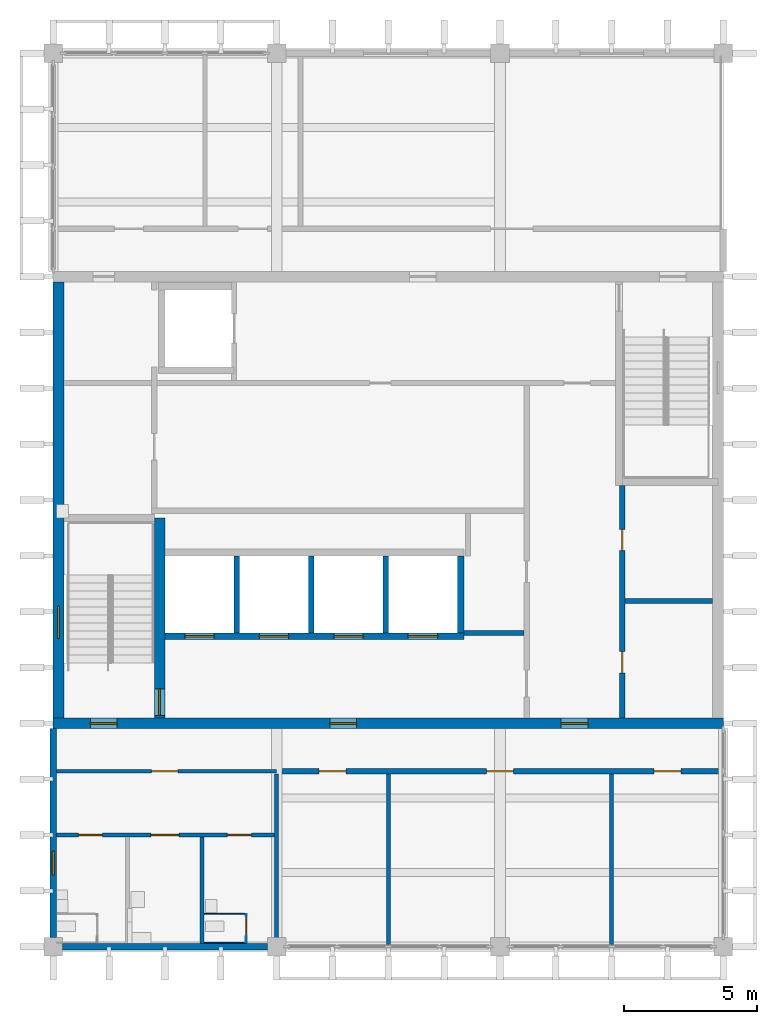
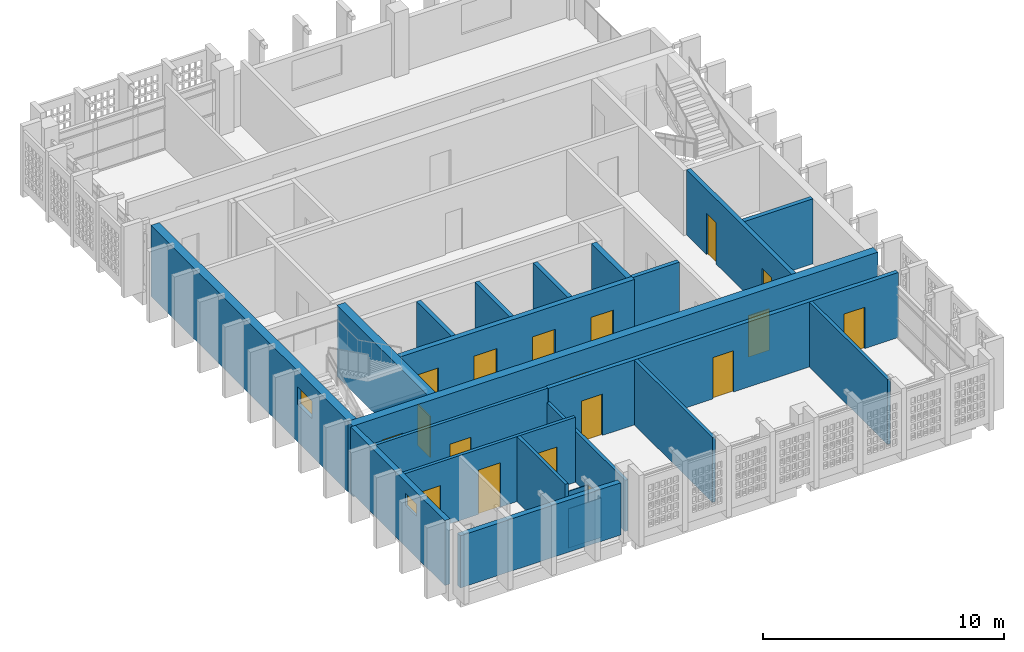
# One storey, part 4 of 13: 23 walls, 18 doors, 2 windows, 20 openings.
"""IFC4 building model written with IfcOpenShell, lengths in metres."""

from ifc_helpers import new_model, si_unit, direction, frame, frame_2d, origin, place, context, subcontext, project, spatial, rectangle, extrude, material, layer, layer_set, type_object, element, fill, save


model = new_model("IFC4")

# Units and contexts
model_context = context("Model", 3, precision=1e-05, world=origin(), true_north=direction((0.0, 1.0)))
body_context = subcontext(model_context, "Body", "Model", "MODEL_VIEW")
ifc_project = project(units=[si_unit("LENGTHUNIT", "METRE"), si_unit("AREAUNIT", "SQUARE_METRE"), si_unit("VOLUMEUNIT", "CUBIC_METRE"), si_unit("PLANEANGLEUNIT", "RADIAN"), si_unit("MASSUNIT", "GRAM", prefix="KILO")], contexts=[model_context])

# Site, building, storey
site_placement = place(None, origin())
site = spatial("IfcSite", under=ifc_project, at=site_placement, CompositionType="ELEMENT")
building_placement = place(site_placement, origin())
building = spatial("IfcBuilding", under=site, at=building_placement, Name="Rulbaag Community and Learning Centre", CompositionType="ELEMENT")
storey_placement = place(building_placement, frame((0.0, 0.0, 54.0)))
storey = spatial("IfcBuildingStorey", under=building, at=storey_placement, Name="L14", CompositionType="ELEMENT", Elevation=54.0)

# Walls
ifc_material_1 = material(Name="High pressure laminate", Category="wood")
ifc_layer_1 = layer(ifc_material_1, 0.0400390625)
ifc_layer_set_1 = layer_set([ifc_layer_1], Name="CP-40")
wall_type_1 = type_object("IfcWallType", Name="CP-40", PredefinedType="PARTITIONING", material=ifc_layer_set_1)
for number, where, z_axis, x_axis, name in (
    (1, (148.47509765625, 84.14501953125, 0.0), (0.0, 0.0, 1.0), (1.0, 0.0, 0.0), "Cubicle partition"),
    (2, (148.47509765625, 85.239990234375, 0.0), (0.0, 0.0, 1.0), (1.0, 0.0, 0.0), "Cubicle partition"),
):
    element("IfcWall", number, at=place(storey_placement, frame(where, z_axis=z_axis, x_axis=x_axis)), inside=storey, type_object=wall_type_1, Name=name, PredefinedType="PARTITIONING", context=body_context, shape_type="SweptSolid", body=[
        extrude(rectangle(XDim=1.594970703125, YDim=0.0400390625, at=frame_2d((0.79736328125, 0.0))), origin(), (0.0, 0.0, 1.0), 2.0),
    ])

# Wall, opening, door
wall_1_placement = place(storey_placement, frame((150.050048828125, 84.1650390625, 0.0), z_axis=(0.0, 0.0, 1.0), x_axis=(0.0, 1.0, 0.0)))
wall_1 = element("IfcWall", 3, at=wall_1_placement, inside=storey, type_object=wall_type_1, Name="Cubicle partition", PredefinedType="PARTITIONING", context=body_context, shape_type="SweptSolid", body=[
    extrude(rectangle(XDim=1.054931640625, YDim=0.0400390625, at=frame_2d((0.52734375, 0.0))), origin(), (0.0, 0.0, 1.0), 2.0),
])
opening_1_placement = place(wall_1_placement, frame((0.205078125, 0.0, 0.0)))
opening_1 = element("IfcOpeningElement", 4, at=opening_1_placement, cuts=wall_1, Name="Opening L14-D013", PredefinedType="OPENING", context=body_context, shape_type="SweptSolid", body=[
    extrude(rectangle(XDim=0.800048828125, YDim=2.0, at=frame_2d((0.39990234375, 1.0))), frame((0.0, 0.030029296875, 0.0), z_axis=(0.0, -1.0, 0.0), x_axis=(1.0, 0.0, 0.0)), (0.0, 0.0, 1.0), 0.06005859375),
])
door_type_1 = type_object("IfcDoorType", Name="DC-80", OperationType="SINGLE_SWING_LEFT", PredefinedType="DOOR", material=ifc_material_1)
door_1_placement = place(opening_1_placement, origin())
door_1 = element("IfcDoor", 5, at=door_1_placement, inside=storey, type_object=door_type_1, Name="Cubicle door", OperationType="SINGLE_SWING_LEFT", OverallHeight=2.0, OverallWidth=0.800048828125, PredefinedType="DOOR", context=body_context, shape_type="SweptSolid", body=[
    extrude(rectangle(XDim=0.800048828125, YDim=2.0, at=frame_2d((0.39990234375, 1.0))), frame((0.0, 0.019775390625, 0.0), z_axis=(0.0, -1.0, 0.0), x_axis=(1.0, 0.0, 0.0)), (0.0, 0.0, 1.0), 0.03955078125),
])
fill(opening_1, door_1)

# Wall
ifc_material_2 = material(Name="Concrete M40", Category="concrete")
ifc_layer_2 = layer(ifc_material_2, 0.25)
ifc_layer_set_2 = layer_set([ifc_layer_2], Name="EW-CONC250")
wall_type_2 = type_object("IfcWallType", Name="EW-CONC250", PredefinedType="STANDARD", material=ifc_layer_set_2)
wall_2_placement = place(storey_placement, frame((143.14990234375, 84.0, 0.0), z_axis=(0.0, 0.0, 1.0), x_axis=(1.0, 0.0, 0.0)))
element("IfcWall", 6, at=wall_2_placement, inside=storey, type_object=wall_type_2, Name="Board-marked concrete cladding wall BS", PredefinedType="STANDARD", context=body_context, shape_type="SweptSolid", body=[
    extrude(rectangle(XDim=7.7001953125, YDim=0.25, at=frame_2d((3.85009765625, 0.0))), origin(), (0.0, 0.0, 1.0), 2.64990234375),
])

# Wall, opening, window
wall_3_placement = place(storey_placement, frame((142.800048828125, 84.35009765625, 0.0), z_axis=(0.0, 0.0, 1.0), x_axis=(0.0, 1.0, 0.0)))
wall_3 = element("IfcWall", 7, at=wall_3_placement, inside=storey, type_object=wall_type_2, Name="Board-marked concrete cladding wall BW", PredefinedType="STANDARD", context=body_context, shape_type="SweptSolid", body=[
    extrude(rectangle(XDim=7.849853515625, YDim=0.25, at=frame_2d((3.9248046875, 0.0))), origin(), (0.0, 0.0, 1.0), 3.300048828125),
])
opening_2_placement = place(wall_3_placement, frame((2.35009765625, 0.0, 2.10009765625)))
opening_2 = element("IfcOpeningElement", 8, at=opening_2_placement, cuts=wall_3, Name="Opening WN5", PredefinedType="OPENING", context=body_context, shape_type="SweptSolid", body=[
    extrude(rectangle(XDim=0.89990234375, YDim=0.60009765625, at=frame_2d((0.449951171875, 0.300048828125))), frame((0.0, 0.135009765625, 0.0), z_axis=(0.0, -1.0, 0.0), x_axis=(1.0, 0.0, 0.0)), (0.0, 0.0, 1.0), 0.27001953125),
])
ifc_material_3 = material(Name="Aluminium", Category="aluminium")
window_type_1 = type_object("IfcWindowType", Name="WK-09", PartitioningType="SINGLE_PANEL", PredefinedType="WINDOW", material=ifc_material_3)
window_1_placement = place(opening_2_placement, origin())
window_1 = element("IfcWindow", 9, at=window_1_placement, inside=storey, type_object=window_type_1, Name="Window WN5", OverallHeight=0.60009765625, OverallWidth=0.89990234375, PartitioningType="SINGLE_PANEL", PredefinedType="WINDOW", context=body_context, shape_type="SweptSolid", body=[
    extrude(rectangle(XDim=0.89990234375, YDim=0.60009765625, at=frame_2d((0.449951171875, 0.300048828125))), frame((0.0, 0.030029296875, 0.0), z_axis=(0.0, -1.0, 0.0), x_axis=(1.0, 0.0, 0.0)), (0.0, 0.0, 1.0), 0.06005859375),
])
fill(opening_2, window_1)

# Wall, openings, doors
ifc_material_4 = material(Name="Concrete blockwork", Category="masonry")
ifc_layer_3 = layer(ifc_material_4, 0.199951171875)
ifc_layer_set_3 = layer_set([ifc_layer_3], Name="FW-200 FIRE WALL 200")
wall_type_3 = type_object("IfcWallType", Name="FW-200 FIRE WALL 200", PredefinedType="SOLIDWALL", material=ifc_layer_set_3)
wall_4_placement = place(storey_placement, frame((151.199951171875, 90.60009765625, 0.0), z_axis=(0.0, 0.0, 1.0), x_axis=(1.0, 0.0, 0.0)))
wall_4 = element("IfcWall", 10, at=wall_4_placement, inside=storey, type_object=wall_type_3, Name="Fire wall L14 3", PredefinedType="SOLIDWALL", context=body_context, shape_type="SweptSolid", body=[
    extrude(rectangle(XDim=16.800048828125, YDim=0.199951171875, at=frame_2d((8.39990234375, 0.0))), origin(), (0.0, 0.0, 1.0), 3.300048828125),
])
opening_3_placement = place(wall_4_placement, frame((1.60009765625, 0.0, 0.0)))
opening_3 = element("IfcOpeningElement", 11, at=opening_3_placement, cuts=wall_4, Name="Opening L14-D016", PredefinedType="OPENING", context=body_context, shape_type="SweptSolid", body=[
    extrude(rectangle(XDim=1.0, YDim=2.10009765625, at=frame_2d((0.5, 1.050048828125))), frame((0.0, 0.10986328125, 0.0), z_axis=(0.0, -1.0, 0.0), x_axis=(1.0, 0.0, 0.0)), (0.0, 0.0, 1.0), 0.219970703125),
])
opening_4_placement = place(wall_4_placement, frame((7.89990234375, 0.0, 0.0)))
opening_4 = element("IfcOpeningElement", 12, at=opening_4_placement, cuts=wall_4, Name="Opening L14-D022", PredefinedType="OPENING", context=body_context, shape_type="SweptSolid", body=[
    extrude(rectangle(XDim=1.0, YDim=2.10009765625, at=frame_2d((0.5, 1.050048828125))), frame((0.0, 0.10986328125, 0.0), z_axis=(0.0, -1.0, 0.0), x_axis=(1.0, 0.0, 0.0)), (0.0, 0.0, 1.0), 0.219970703125),
])
opening_5_placement = place(wall_4_placement, frame((14.199951171875, 0.0, 0.0)))
opening_5 = element("IfcOpeningElement", 13, at=opening_5_placement, cuts=wall_4, Name="Opening L14-D031", PredefinedType="OPENING", context=body_context, shape_type="SweptSolid", body=[
    extrude(rectangle(XDim=1.0, YDim=2.10009765625, at=frame_2d((0.5, 1.050048828125))), frame((0.0, 0.10986328125, 0.0), z_axis=(0.0, -1.0, 0.0), x_axis=(1.0, 0.0, 0.0)), (0.0, 0.0, 1.0), 0.219970703125),
])
ifc_material_5 = material(Name="Galvanised steel", Category="steel")
door_type_2 = type_object("IfcDoorType", Name="FD-1000 FIRE DOOR 1000 x 2100", OperationType="SINGLE_SWING_LEFT", PredefinedType="DOOR", material=ifc_material_5)
door_2_placement = place(opening_3_placement, origin())
door_2 = element("IfcDoor", 14, at=door_2_placement, inside=storey, type_object=door_type_2, Name="Door L14-D016", OperationType="SINGLE_SWING_LEFT", OverallHeight=2.10009765625, OverallWidth=1.0, PredefinedType="DOOR", context=body_context, shape_type="SweptSolid", body=[
    extrude(rectangle(XDim=1.0, YDim=2.10009765625, at=frame_2d((0.5, 1.050048828125))), frame((0.0, 0.02490234375, 0.0), z_axis=(0.0, -1.0, 0.0), x_axis=(1.0, 0.0, 0.0)), (0.0, 0.0, 1.0), 0.050048828125),
])
fill(opening_3, door_2)
door_3_placement = place(opening_4_placement, origin())
door_3 = element("IfcDoor", 15, at=door_3_placement, inside=storey, type_object=door_type_2, Name="Door L14-D022", OperationType="SINGLE_SWING_RIGHT", OverallHeight=2.10009765625, OverallWidth=1.0, PredefinedType="DOOR", context=body_context, shape_type="SweptSolid", body=[
    extrude(rectangle(XDim=1.0, YDim=2.10009765625, at=frame_2d((0.5, 1.050048828125))), frame((0.0, 0.02490234375, 0.0), z_axis=(0.0, -1.0, 0.0), x_axis=(1.0, 0.0, 0.0)), (0.0, 0.0, 1.0), 0.050048828125),
])
fill(opening_4, door_3)
door_4_placement = place(opening_5_placement, origin())
door_4 = element("IfcDoor", 16, at=door_4_placement, inside=storey, type_object=door_type_2, Name="Door L14-D031", OperationType="SINGLE_SWING_RIGHT", OverallHeight=2.10009765625, OverallWidth=1.0, PredefinedType="DOOR", context=body_context, shape_type="SweptSolid", body=[
    extrude(rectangle(XDim=1.0, YDim=2.10009765625, at=frame_2d((0.5, 1.050048828125))), frame((0.0, 0.02490234375, 0.0), z_axis=(0.0, -1.0, 0.0), x_axis=(1.0, 0.0, 0.0)), (0.0, 0.0, 1.0), 0.050048828125),
])
fill(opening_5, door_4)

# Walls
wall_5_placement = place(storey_placement, frame((158.25, 95.800048828125, 0.0), z_axis=(0.0, 0.0, 1.0), x_axis=(1.0, 0.0, 0.0)))
element("IfcWall", 17, at=wall_5_placement, inside=storey, type_object=wall_type_3, Name="Fire wall L14 5", PredefinedType="SOLIDWALL", context=body_context, shape_type="SweptSolid", body=[
    extrude(rectangle(XDim=2.25, YDim=0.199951171875, at=frame_2d((1.125, 0.0))), origin(), (0.0, 0.0, 1.0), 3.300048828125),
])
wall_6_placement = place(storey_placement, frame((164.300048828125, 97.0, 0.0), z_axis=(0.0, 0.0, 1.0), x_axis=(1.0, 0.0, 0.0)))
element("IfcWall", 18, at=wall_6_placement, inside=storey, type_object=wall_type_3, Name="Fire wall L14 6", PredefinedType="SOLIDWALL", context=body_context, shape_type="SweptSolid", body=[
    extrude(rectangle(XDim=3.300048828125, YDim=0.199951171875, at=frame_2d((1.64990234375, 0.0))), origin(), (0.0, 0.0, 1.0), 3.300048828125),
])

# Wall, openings, doors
wall_7_placement = place(storey_placement, frame((164.199951171875, 92.60009765625, 0.0), z_axis=(0.0, 0.0, 1.0), x_axis=(0.0, 1.0, 0.0)))
wall_7 = element("IfcWall", 19, at=wall_7_placement, inside=storey, type_object=wall_type_3, Name="Fire wall L14 23", PredefinedType="SOLIDWALL", context=body_context, shape_type="SweptSolid", body=[
    extrude(rectangle(XDim=8.75, YDim=0.199951171875, at=frame_2d((4.375, 0.0))), origin(), (0.0, 0.0, 1.0), 3.300048828125),
])
opening_6_placement = place(wall_7_placement, frame((1.699951171875, 0.0, 0.0)))
opening_6 = element("IfcOpeningElement", 20, at=opening_6_placement, cuts=wall_7, Name="Opening L14-D029", PredefinedType="OPENING", context=body_context, shape_type="SweptSolid", body=[
    extrude(rectangle(XDim=0.800048828125, YDim=2.10009765625, at=frame_2d((0.39990234375, 1.050048828125))), frame((0.0, 0.10986328125, 0.0), z_axis=(0.0, -1.0, 0.0), x_axis=(1.0, 0.0, 0.0)), (0.0, 0.0, 1.0), 0.219970703125),
])
opening_7_placement = place(wall_7_placement, frame((6.300048828125, 0.0, 0.0)))
opening_7 = element("IfcOpeningElement", 21, at=opening_7_placement, cuts=wall_7, Name="Opening L14-D030", PredefinedType="OPENING", context=body_context, shape_type="SweptSolid", body=[
    extrude(rectangle(XDim=0.800048828125, YDim=2.10009765625, at=frame_2d((0.39990234375, 1.050048828125))), frame((0.0, 0.10986328125, 0.0), z_axis=(0.0, -1.0, 0.0), x_axis=(1.0, 0.0, 0.0)), (0.0, 0.0, 1.0), 0.219970703125),
])
door_type_3 = type_object("IfcDoorType", Name="FDR-800 RISER FIRE DOOR 800 x 2100", OperationType="SINGLE_SWING_LEFT", PredefinedType="DOOR", material=ifc_material_5)
door_5_placement = place(opening_6_placement, origin())
door_5 = element("IfcDoor", 22, at=door_5_placement, inside=storey, type_object=door_type_3, Name="Riser door L14-D019", OperationType="SINGLE_SWING_LEFT", OverallHeight=2.10009765625, OverallWidth=0.800048828125, PredefinedType="DOOR", context=body_context, shape_type="SweptSolid", body=[
    extrude(rectangle(XDim=0.800048828125, YDim=2.10009765625, at=frame_2d((0.39990234375, 1.050048828125))), frame((0.0, 0.02490234375, 0.0), z_axis=(0.0, -1.0, 0.0), x_axis=(1.0, 0.0, 0.0)), (0.0, 0.0, 1.0), 0.050048828125),
])
fill(opening_6, door_5)
door_6_placement = place(opening_7_placement, origin())
door_6 = element("IfcDoor", 23, at=door_6_placement, inside=storey, type_object=door_type_3, Name="Riser door L14-D020", OperationType="SINGLE_SWING_RIGHT", OverallHeight=2.10009765625, OverallWidth=0.800048828125, PredefinedType="DOOR", context=body_context, shape_type="SweptSolid", body=[
    extrude(rectangle(XDim=0.800048828125, YDim=2.10009765625, at=frame_2d((0.39990234375, 1.050048828125))), frame((0.0, 0.02490234375, 0.0), z_axis=(0.0, -1.0, 0.0), x_axis=(1.0, 0.0, 0.0)), (0.0, 0.0, 1.0), 0.050048828125),
])
fill(opening_7, door_6)

ifc_layer_4 = layer(ifc_material_4, 0.14990234375)
ifc_layer_set_4 = layer_set([ifc_layer_4], Name="IP-150 PARTITION 150")
wall_type_4 = type_object("IfcWallType", Name="IP-150 PARTITION 150", PredefinedType="PARTITIONING", material=ifc_layer_set_4)
wall_8_placement = place(storey_placement, frame((142.925048828125, 88.199951171875, 0.0), z_axis=(0.0, 0.0, 1.0), x_axis=(1.0, 0.0, 0.0)))
wall_8 = element("IfcWall", 24, at=wall_8_placement, inside=storey, type_object=wall_type_4, Name="Partition L14 1", PredefinedType="PARTITIONING", context=body_context, shape_type="SweptSolid", body=[
    extrude(rectangle(XDim=8.199951171875, YDim=0.14990234375, at=frame_2d((4.10009765625, 0.0))), origin(), (0.0, 0.0, 1.0), 3.300048828125),
])
opening_8_placement = place(wall_8_placement, frame((0.824951171875, 0.0, 0.0)))
opening_8 = element("IfcOpeningElement", 25, at=opening_8_placement, cuts=wall_8, Name="Opening L14-D001", PredefinedType="OPENING", context=body_context, shape_type="SweptSolid", body=[
    extrude(rectangle(XDim=0.89990234375, YDim=2.10009765625, at=frame_2d((0.449951171875, 1.050048828125))), frame((0.0, 0.0849609375, 0.0), z_axis=(0.0, -1.0, 0.0), x_axis=(1.0, 0.0, 0.0)), (0.0, 0.0, 1.0), 0.169921875),
])
opening_9_placement = place(wall_8_placement, frame((3.550048828125, 0.0, 0.0)))
opening_9 = element("IfcOpeningElement", 26, at=opening_9_placement, cuts=wall_8, Name="Opening L14-D008", PredefinedType="OPENING", context=body_context, shape_type="SweptSolid", body=[
    extrude(rectangle(XDim=1.050048828125, YDim=2.25, at=frame_2d((0.52490234375, 1.125))), frame((0.0, 0.0849609375, 0.0), z_axis=(0.0, -1.0, 0.0), x_axis=(1.0, 0.0, 0.0)), (0.0, 0.0, 1.0), 0.169921875),
])
opening_10_placement = place(wall_8_placement, frame((6.425048828125, 0.0, 0.0)))
opening_10 = element("IfcOpeningElement", 27, at=opening_10_placement, cuts=wall_8, Name="Opening L14-D012", PredefinedType="OPENING", context=body_context, shape_type="SweptSolid", body=[
    extrude(rectangle(XDim=0.89990234375, YDim=2.10009765625, at=frame_2d((0.449951171875, 1.050048828125))), frame((0.0, 0.0849609375, 0.0), z_axis=(0.0, -1.0, 0.0), x_axis=(1.0, 0.0, 0.0)), (0.0, 0.0, 1.0), 0.169921875),
])
ifc_material_6 = material(Name="Timber", Category="wood")
door_type_4 = type_object("IfcDoorType", Name="D-1050 ACCESSIBLE TOILET DOOR 1050 x 2250", OperationType="SINGLE_SWING_LEFT", PredefinedType="DOOR", material=ifc_material_6)
door_7_placement = place(opening_9_placement, origin())
door_7 = element("IfcDoor", 28, at=door_7_placement, inside=storey, type_object=door_type_4, Name="Door L14-D008", OperationType="SINGLE_SWING_LEFT", OverallHeight=2.25, OverallWidth=1.050048828125, PredefinedType="DOOR", context=body_context, shape_type="SweptSolid", body=[
    extrude(rectangle(XDim=1.050048828125, YDim=2.25, at=frame_2d((0.52490234375, 1.125))), frame((0.0, 0.02490234375, 0.0), z_axis=(0.0, -1.0, 0.0), x_axis=(1.0, 0.0, 0.0)), (0.0, 0.0, 1.0), 0.050048828125),
])
fill(opening_9, door_7)
door_type_5 = type_object("IfcDoorType", Name="DW-900 TOILET DOOR 900 x 2100", OperationType="SINGLE_SWING_LEFT", PredefinedType="DOOR", material=ifc_material_6)
door_8_placement = place(opening_8_placement, origin())
door_8 = element("IfcDoor", 29, at=door_8_placement, inside=storey, type_object=door_type_5, Name="Door L14-D001", OperationType="SINGLE_SWING_LEFT", OverallHeight=2.10009765625, OverallWidth=0.89990234375, PredefinedType="DOOR", context=body_context, shape_type="SweptSolid", body=[
    extrude(rectangle(XDim=0.89990234375, YDim=2.10009765625, at=frame_2d((0.449951171875, 1.050048828125))), frame((0.0, 0.02490234375, 0.0), z_axis=(0.0, -1.0, 0.0), x_axis=(1.0, 0.0, 0.0)), (0.0, 0.0, 1.0), 0.050048828125),
])
fill(opening_8, door_8)
door_9_placement = place(opening_10_placement, origin())
door_9 = element("IfcDoor", 30, at=door_9_placement, inside=storey, type_object=door_type_5, Name="Door L14-D012", OperationType="SINGLE_SWING_RIGHT", OverallHeight=2.10009765625, OverallWidth=0.89990234375, PredefinedType="DOOR", context=body_context, shape_type="SweptSolid", body=[
    extrude(rectangle(XDim=0.89990234375, YDim=2.10009765625, at=frame_2d((0.449951171875, 1.050048828125))), frame((0.0, 0.02490234375, 0.0), z_axis=(0.0, -1.0, 0.0), x_axis=(1.0, 0.0, 0.0)), (0.0, 0.0, 1.0), 0.050048828125),
])
fill(opening_10, door_9)

# Wall, opening, door
wall_9_placement = place(storey_placement, frame((142.925048828125, 90.60009765625, 0.0), z_axis=(0.0, 0.0, 1.0), x_axis=(1.0, 0.0, 0.0)))
wall_9 = element("IfcWall", 31, at=wall_9_placement, inside=storey, type_object=wall_type_4, Name="Partition L14 2", PredefinedType="PARTITIONING", context=body_context, shape_type="SweptSolid", body=[
    extrude(rectangle(XDim=8.27490234375, YDim=0.14990234375, at=frame_2d((4.137451171875, 0.0))), origin(), (0.0, 0.0, 1.0), 3.300048828125),
])
opening_11_placement = place(wall_9_placement, frame((3.574951171875, 0.0, 0.0)))
opening_11 = element("IfcOpeningElement", 32, at=opening_11_placement, cuts=wall_9, Name="Opening L14-D009", PredefinedType="OPENING", context=body_context, shape_type="SweptSolid", body=[
    extrude(rectangle(XDim=1.0, YDim=2.10009765625, at=frame_2d((0.5, 1.050048828125))), frame((0.0, 0.0849609375, 0.0), z_axis=(0.0, -1.0, 0.0), x_axis=(1.0, 0.0, 0.0)), (0.0, 0.0, 1.0), 0.169921875),
])
door_type_6 = type_object("IfcDoorType", Name="D-1000 DOOR 1000 x 2100", OperationType="SINGLE_SWING_LEFT", PredefinedType="DOOR", material=ifc_material_6)
door_10_placement = place(opening_11_placement, origin())
door_10 = element("IfcDoor", 33, at=door_10_placement, inside=storey, type_object=door_type_6, Name="Door L14-D009", OperationType="SINGLE_SWING_RIGHT", OverallHeight=2.10009765625, OverallWidth=1.0, PredefinedType="DOOR", context=body_context, shape_type="SweptSolid", body=[
    extrude(rectangle(XDim=1.0, YDim=2.10009765625, at=frame_2d((0.5, 1.050048828125))), frame((0.0, 0.02490234375, 0.0), z_axis=(0.0, -1.0, 0.0), x_axis=(1.0, 0.0, 0.0)), (0.0, 0.0, 1.0), 0.050048828125),
])
fill(opening_11, door_10)

# Walls
wall_10_placement = place(storey_placement, frame((148.39990234375, 84.125, 0.0), z_axis=(0.0, 0.0, 1.0), x_axis=(0.0, 1.0, 0.0)))
element("IfcWall", 34, at=wall_10_placement, inside=storey, type_object=wall_type_4, Name="Partition L14 14", PredefinedType="PARTITIONING", context=body_context, shape_type="SweptSolid", body=[
    extrude(rectangle(XDim=4.0, YDim=0.14990234375, at=frame_2d((2.0, 0.0))), origin(), (0.0, 0.0, 1.0), 3.300048828125),
])
wall_11_placement = place(storey_placement, frame((151.199951171875, 84.0, 0.0), z_axis=(0.0, 0.0, 1.0), x_axis=(0.0, 1.0, 0.0)))
element("IfcWall", 35, at=wall_11_placement, inside=storey, type_object=wall_type_4, Name="Partition L14 17", PredefinedType="PARTITIONING", context=body_context, shape_type="SweptSolid", body=[
    extrude(rectangle(XDim=6.5, YDim=0.14990234375, at=frame_2d((3.25, 0.0))), origin(), (0.0, 0.0, 1.0), 2.60009765625),
])
for number, where, z_axis, x_axis, name in (
    (36, (155.39990234375, 84.0, 0.0), (0.0, 0.0, 1.0), (0.0, 1.0, 0.0), "Partition L14 19"),
    (37, (163.800048828125, 84.0, 0.0), (0.0, 0.0, 1.0), (0.0, 1.0, 0.0), "Partition L14 22"),
):
    element("IfcWall", number, at=place(storey_placement, frame(where, z_axis=z_axis, x_axis=x_axis)), inside=storey, type_object=wall_type_4, Name=name, PredefinedType="PARTITIONING", context=body_context, shape_type="SweptSolid", body=[
        extrude(rectangle(XDim=6.5, YDim=0.14990234375, at=frame_2d((3.25, 0.0))), origin(), (0.0, 0.0, 1.0), 3.300048828125),
    ])

# Wall, openings, doors
ifc_material_7 = material(Name="Concrete M60", Category="concrete")
ifc_layer_5 = layer(ifc_material_7, 0.39990234375)
ifc_layer_set_5 = layer_set([ifc_layer_5], Name="W2 Core wall 400 Concrete M60")
wall_type_5 = type_object("IfcWallType", Name="W2 Core wall 400 Concrete M60", PredefinedType="SHEAR", material=ifc_layer_set_5)
wall_12_placement = place(storey_placement, frame((142.800048828125, 92.39990234375, -0.300048828125), z_axis=(0.0, 0.0, 1.0), x_axis=(1.0, 0.0, 0.0)))
wall_12 = element("IfcWall", 38, at=wall_12_placement, inside=storey, type_object=wall_type_5, Name="WL-CORE-S-L14", PredefinedType="SHEAR", context=body_context, shape_type="SweptSolid", body=[
    extrude(rectangle(XDim=25.199951171875, YDim=0.39990234375, at=frame_2d((12.60009765625, 0.0))), origin(), (0.0, 0.0, 1.0), 3.60009765625),
])
opening_12_placement = place(wall_12_placement, frame((1.39990234375, 0.0, 0.300048828125)))
opening_12 = element("IfcOpeningElement", 39, at=opening_12_placement, cuts=wall_12, Name="Opening L14-D003", PredefinedType="OPENING", context=body_context, shape_type="SweptSolid", body=[
    extrude(rectangle(XDim=1.0, YDim=2.10009765625, at=frame_2d((0.5, 1.050048828125))), frame((0.0, 0.2099609375, 0.0), z_axis=(0.0, -1.0, 0.0), x_axis=(1.0, 0.0, 0.0)), (0.0, 0.0, 1.0), 0.419921875),
])
opening_13_placement = place(wall_12_placement, frame((19.10009765625, 0.0, 0.300048828125)))
opening_13 = element("IfcOpeningElement", 40, at=opening_13_placement, cuts=wall_12, Name="Opening L14-D026", PredefinedType="OPENING", context=body_context, shape_type="SweptSolid", body=[
    extrude(rectangle(XDim=1.0, YDim=2.10009765625, at=frame_2d((0.5, 1.050048828125))), frame((0.0, 0.2099609375, 0.0), z_axis=(0.0, -1.0, 0.0), x_axis=(1.0, 0.0, 0.0)), (0.0, 0.0, 1.0), 0.419921875),
])
opening_14_placement = place(wall_12_placement, frame((10.39990234375, 0.0, 0.300048828125)))
opening_14 = element("IfcOpeningElement", 41, at=opening_14_placement, cuts=wall_12, Name="Opening L14-D017", PredefinedType="OPENING", context=body_context, shape_type="SweptSolid", body=[
    extrude(rectangle(XDim=1.0, YDim=2.10009765625, at=frame_2d((0.5, 1.050048828125))), frame((0.0, 0.2099609375, 0.0), z_axis=(0.0, -1.0, 0.0), x_axis=(1.0, 0.0, 0.0)), (0.0, 0.0, 1.0), 0.419921875),
])
door_11_placement = place(opening_13_placement, origin())
door_11 = element("IfcDoor", 42, at=door_11_placement, inside=storey, type_object=door_type_6, Name="Door L14-D026", OperationType="SINGLE_SWING_LEFT", OverallHeight=2.10009765625, OverallWidth=1.0, PredefinedType="DOOR", context=body_context, shape_type="SweptSolid", body=[
    extrude(rectangle(XDim=1.0, YDim=2.10009765625, at=frame_2d((0.5, 1.050048828125))), frame((0.0, 0.02490234375, 0.0), z_axis=(0.0, -1.0, 0.0), x_axis=(1.0, 0.0, 0.0)), (0.0, 0.0, 1.0), 0.050048828125),
])
fill(opening_13, door_11)
door_12_placement = place(opening_12_placement, origin())
door_12 = element("IfcDoor", 43, at=door_12_placement, inside=storey, type_object=door_type_2, Name="Door L14-D003", OperationType="SINGLE_SWING_RIGHT", OverallHeight=2.10009765625, OverallWidth=1.0, PredefinedType="DOOR", context=body_context, shape_type="SweptSolid", body=[
    extrude(rectangle(XDim=1.0, YDim=2.10009765625, at=frame_2d((0.5, 1.050048828125))), frame((0.0, 0.02490234375, 0.0), z_axis=(0.0, -1.0, 0.0), x_axis=(1.0, 0.0, 0.0)), (0.0, 0.0, 1.0), 0.050048828125),
])
fill(opening_12, door_12)
door_13_placement = place(opening_14_placement, origin())
door_13 = element("IfcDoor", 44, at=door_13_placement, inside=storey, type_object=door_type_2, Name="Door L14-D017", OperationType="SINGLE_SWING_RIGHT", OverallHeight=2.10009765625, OverallWidth=1.0, PredefinedType="DOOR", context=body_context, shape_type="SweptSolid", body=[
    extrude(rectangle(XDim=1.0, YDim=2.10009765625, at=frame_2d((0.5, 1.050048828125))), frame((0.0, 0.02490234375, 0.0), z_axis=(0.0, -1.0, 0.0), x_axis=(1.0, 0.0, 0.0)), (0.0, 0.0, 1.0), 0.050048828125),
])
fill(opening_14, door_13)

# Wall, opening, window
wall_13_placement = place(storey_placement, frame((143.0, 92.60009765625, -0.300048828125), z_axis=(0.0, 0.0, 1.0), x_axis=(0.0, 1.0, 0.0)))
wall_13 = element("IfcWall", 45, at=wall_13_placement, inside=storey, type_object=wall_type_5, Name="WL-CORE-W-L14", PredefinedType="SHEAR", context=body_context, shape_type="SweptSolid", body=[
    extrude(rectangle(XDim=16.39990234375, YDim=0.39990234375, at=frame_2d((8.199951171875, 0.0))), origin(), (0.0, 0.0, 1.0), 3.60009765625),
])
opening_15_placement = place(wall_13_placement, frame((3.0, 0.0, 1.89990234375)))
opening_15 = element("IfcOpeningElement", 46, at=opening_15_placement, cuts=wall_13, Name="Opening WN19", PredefinedType="OPENING", context=body_context, shape_type="SweptSolid", body=[
    extrude(rectangle(XDim=1.199951171875, YDim=0.89990234375, at=frame_2d((0.60009765625, 0.449951171875))), frame((0.0, 0.2099609375, 0.0), z_axis=(0.0, -1.0, 0.0), x_axis=(1.0, 0.0, 0.0)), (0.0, 0.0, 1.0), 0.419921875),
])
window_type_2 = type_object("IfcWindowType", Name="WS-12", PartitioningType="SINGLE_PANEL", PredefinedType="WINDOW", material=ifc_material_3)
window_2_placement = place(opening_15_placement, origin())
window_2 = element("IfcWindow", 47, at=window_2_placement, inside=storey, type_object=window_type_2, Name="Stair window", OverallHeight=0.89990234375, OverallWidth=1.199951171875, PartitioningType="SINGLE_PANEL", PredefinedType="WINDOW", context=body_context, shape_type="SweptSolid", body=[
    extrude(rectangle(XDim=1.199951171875, YDim=0.89990234375, at=frame_2d((0.60009765625, 0.449951171875))), frame((0.0, 0.030029296875, 0.0), z_axis=(0.0, -1.0, 0.0), x_axis=(1.0, 0.0, 0.0)), (0.0, 0.0, 1.0), 0.06005859375),
])
fill(opening_15, window_2)

# Wall, openings, doors
ifc_layer_6 = layer(ifc_material_2, 0.25)
ifc_layer_set_6 = layer_set([ifc_layer_6], Name="W5 Shaft wall 250 Concrete M40")
wall_type_6 = type_object("IfcWallType", Name="W5 Shaft wall 250 Concrete M40", PredefinedType="SHEAR", material=ifc_layer_set_6)
wall_14_placement = place(storey_placement, frame((147.0, 95.675048828125, -0.300048828125), z_axis=(0.0, 0.0, 1.0), x_axis=(1.0, 0.0, 0.0)))
wall_14 = element("IfcWall", 48, at=wall_14_placement, inside=storey, type_object=wall_type_6, Name="WL-LP-S-L14", PredefinedType="SHEAR", context=body_context, shape_type="SweptSolid", body=[
    extrude(rectangle(XDim=11.25, YDim=0.25, at=frame_2d((5.625, 0.0))), origin(), (0.0, 0.0, 1.0), 3.60009765625),
])
opening_16_placement = place(wall_14_placement, frame((0.75, 0.0, 0.300048828125)))
opening_16 = element("IfcOpeningElement", 49, at=opening_16_placement, cuts=wall_14, Name="Opening L14-D010", PredefinedType="OPENING", context=body_context, shape_type="SweptSolid", body=[
    extrude(rectangle(XDim=1.10009765625, YDim=2.10009765625, at=frame_2d((0.550048828125, 1.050048828125))), frame((0.0, 0.135009765625, 0.0), z_axis=(0.0, -1.0, 0.0), x_axis=(1.0, 0.0, 0.0)), (0.0, 0.0, 1.0), 0.27001953125),
])
opening_17_placement = place(wall_14_placement, frame((3.550048828125, 0.0, 0.300048828125)))
opening_17 = element("IfcOpeningElement", 50, at=opening_17_placement, cuts=wall_14, Name="Opening L14-D015", PredefinedType="OPENING", context=body_context, shape_type="SweptSolid", body=[
    extrude(rectangle(XDim=1.10009765625, YDim=2.10009765625, at=frame_2d((0.550048828125, 1.050048828125))), frame((0.0, 0.135009765625, 0.0), z_axis=(0.0, -1.0, 0.0), x_axis=(1.0, 0.0, 0.0)), (0.0, 0.0, 1.0), 0.27001953125),
])
opening_18_placement = place(wall_14_placement, frame((6.35009765625, 0.0, 0.300048828125)))
opening_18 = element("IfcOpeningElement", 51, at=opening_18_placement, cuts=wall_14, Name="Opening L14-D018", PredefinedType="OPENING", context=body_context, shape_type="SweptSolid", body=[
    extrude(rectangle(XDim=1.10009765625, YDim=2.10009765625, at=frame_2d((0.550048828125, 1.050048828125))), frame((0.0, 0.135009765625, 0.0), z_axis=(0.0, -1.0, 0.0), x_axis=(1.0, 0.0, 0.0)), (0.0, 0.0, 1.0), 0.27001953125),
])
opening_19_placement = place(wall_14_placement, frame((9.14990234375, 0.0, 0.300048828125)))
opening_19 = element("IfcOpeningElement", 52, at=opening_19_placement, cuts=wall_14, Name="Opening L14-D020", PredefinedType="OPENING", context=body_context, shape_type="SweptSolid", body=[
    extrude(rectangle(XDim=1.10009765625, YDim=2.10009765625, at=frame_2d((0.550048828125, 1.050048828125))), frame((0.0, 0.135009765625, 0.0), z_axis=(0.0, -1.0, 0.0), x_axis=(1.0, 0.0, 0.0)), (0.0, 0.0, 1.0), 0.27001953125),
])
ifc_material_8 = material(Name="Stainless steel grade 304", Category="steel")
door_type_7 = type_object("IfcDoorType", Name="LD-1100 LIFT LANDING DOOR 1100 x 2100", OperationType="SLIDING_TO_LEFT", PredefinedType="DOOR", material=ifc_material_8)
door_14_placement = place(opening_16_placement, origin())
door_14 = element("IfcDoor", 53, at=door_14_placement, inside=storey, type_object=door_type_7, Name="Lift landing door LP1 L14", OperationType="SLIDING_TO_LEFT", OverallHeight=2.10009765625, OverallWidth=1.10009765625, PredefinedType="DOOR", context=body_context, shape_type="SweptSolid", body=[
    extrude(rectangle(XDim=1.10009765625, YDim=2.10009765625, at=frame_2d((0.550048828125, 1.050048828125))), frame((0.0, 0.02490234375, 0.0), z_axis=(0.0, -1.0, 0.0), x_axis=(1.0, 0.0, 0.0)), (0.0, 0.0, 1.0), 0.050048828125),
])
fill(opening_16, door_14)
door_15_placement = place(opening_17_placement, origin())
door_15 = element("IfcDoor", 54, at=door_15_placement, inside=storey, type_object=door_type_7, Name="Lift landing door LP2 L14", OperationType="SLIDING_TO_LEFT", OverallHeight=2.10009765625, OverallWidth=1.10009765625, PredefinedType="DOOR", context=body_context, shape_type="SweptSolid", body=[
    extrude(rectangle(XDim=1.10009765625, YDim=2.10009765625, at=frame_2d((0.550048828125, 1.050048828125))), frame((0.0, 0.02490234375, 0.0), z_axis=(0.0, -1.0, 0.0), x_axis=(1.0, 0.0, 0.0)), (0.0, 0.0, 1.0), 0.050048828125),
])
fill(opening_17, door_15)
door_16_placement = place(opening_18_placement, origin())
door_16 = element("IfcDoor", 55, at=door_16_placement, inside=storey, type_object=door_type_7, Name="Lift landing door LP3 L14", OperationType="SLIDING_TO_LEFT", OverallHeight=2.10009765625, OverallWidth=1.10009765625, PredefinedType="DOOR", context=body_context, shape_type="SweptSolid", body=[
    extrude(rectangle(XDim=1.10009765625, YDim=2.10009765625, at=frame_2d((0.550048828125, 1.050048828125))), frame((0.0, 0.02490234375, 0.0), z_axis=(0.0, -1.0, 0.0), x_axis=(1.0, 0.0, 0.0)), (0.0, 0.0, 1.0), 0.050048828125),
])
fill(opening_18, door_16)
door_17_placement = place(opening_19_placement, origin())
door_17 = element("IfcDoor", 56, at=door_17_placement, inside=storey, type_object=door_type_7, Name="Lift landing door LP4 L14", OperationType="SLIDING_TO_LEFT", OverallHeight=2.10009765625, OverallWidth=1.10009765625, PredefinedType="DOOR", context=body_context, shape_type="SweptSolid", body=[
    extrude(rectangle(XDim=1.10009765625, YDim=2.10009765625, at=frame_2d((0.550048828125, 1.050048828125))), frame((0.0, 0.02490234375, 0.0), z_axis=(0.0, -1.0, 0.0), x_axis=(1.0, 0.0, 0.0)), (0.0, 0.0, 1.0), 0.050048828125),
])
fill(opening_19, door_17)

# Walls
wall_15_placement = place(storey_placement, frame((158.125, 95.800048828125, -0.300048828125), z_axis=(0.0, 0.0, 1.0), x_axis=(0.0, 1.0, 0.0)))
element("IfcWall", 57, at=wall_15_placement, inside=storey, type_object=wall_type_6, Name="WL-LP-E-L14", PredefinedType="SHEAR", context=body_context, shape_type="SweptSolid", body=[
    extrude(rectangle(XDim=2.89990234375, YDim=0.25, at=frame_2d((1.449951171875, 0.0))), origin(), (0.0, 0.0, 1.0), 3.60009765625),
])
ifc_layer_7 = layer(ifc_material_2, 0.199951171875)
ifc_layer_set_7 = layer_set([ifc_layer_7], Name="W6 Shaft divider 200 Concrete M40")
wall_type_7 = type_object("IfcWallType", Name="W6 Shaft divider 200 Concrete M40", PredefinedType="SHEAR", material=ifc_layer_set_7)
for number, where, z_axis, x_axis, name in (
    (58, (149.699951171875, 95.800048828125, -0.300048828125), (0.0, 0.0, 1.0), (0.0, 1.0, 0.0), "WL-LP-D1-L14"),
    (59, (152.5, 95.800048828125, -0.300048828125), (0.0, 0.0, 1.0), (0.0, 1.0, 0.0), "WL-LP-D2-L14"),
    (60, (155.300048828125, 95.800048828125, -0.300048828125), (0.0, 0.0, 1.0), (0.0, 1.0, 0.0), "WL-LP-D3-L14"),
):
    element("IfcWall", number, at=place(storey_placement, frame(where, z_axis=z_axis, x_axis=x_axis)), inside=storey, type_object=wall_type_7, Name=name, PredefinedType="SHEAR", context=body_context, shape_type="SweptSolid", body=[
        extrude(rectangle(XDim=2.89990234375, YDim=0.199951171875, at=frame_2d((1.449951171875, 0.0))), origin(), (0.0, 0.0, 1.0), 3.60009765625),
    ])

# Wall, opening, door
ifc_layer_8 = layer(ifc_material_2, 0.39990234375)
ifc_layer_set_8 = layer_set([ifc_layer_8], Name="W7 Stair wall 400 Concrete M40")
wall_type_8 = type_object("IfcWallType", Name="W7 Stair wall 400 Concrete M40", PredefinedType="SHEAR", material=ifc_layer_set_8)
wall_16_placement = place(storey_placement, frame((146.800048828125, 92.60009765625, -0.300048828125), z_axis=(0.0, 0.0, 1.0), x_axis=(0.0, 1.0, 0.0)))
wall_16 = element("IfcWall", 61, at=wall_16_placement, inside=storey, type_object=wall_type_8, Name="WL-ST1-E-L14", PredefinedType="SHEAR", context=body_context, shape_type="SweptSolid", body=[
    extrude(rectangle(XDim=7.52490234375, YDim=0.39990234375, at=frame_2d((3.762451171875, 0.0))), origin(), (0.0, 0.0, 1.0), 3.60009765625),
])
opening_20_placement = place(wall_16_placement, frame((0.10009765625, 0.0, 0.300048828125)))
opening_20 = element("IfcOpeningElement", 62, at=opening_20_placement, cuts=wall_16, Name="Opening L14-D007", PredefinedType="OPENING", context=body_context, shape_type="SweptSolid", body=[
    extrude(rectangle(XDim=1.0, YDim=2.10009765625, at=frame_2d((0.5, 1.050048828125))), frame((0.0, 0.2099609375, 0.0), z_axis=(0.0, -1.0, 0.0), x_axis=(1.0, 0.0, 0.0)), (0.0, 0.0, 1.0), 0.419921875),
])
door_18_placement = place(opening_20_placement, origin())
door_18 = element("IfcDoor", 63, at=door_18_placement, inside=storey, type_object=door_type_2, Name="Door L14-D007", OperationType="SINGLE_SWING_RIGHT", OverallHeight=2.10009765625, OverallWidth=1.0, PredefinedType="DOOR", context=body_context, shape_type="SweptSolid", body=[
    extrude(rectangle(XDim=1.0, YDim=2.10009765625, at=frame_2d((0.5, 1.050048828125))), frame((0.0, 0.02490234375, 0.0), z_axis=(0.0, -1.0, 0.0), x_axis=(1.0, 0.0, 0.0)), (0.0, 0.0, 1.0), 0.050048828125),
])
fill(opening_20, door_18)

save(model, "model.ifc")
